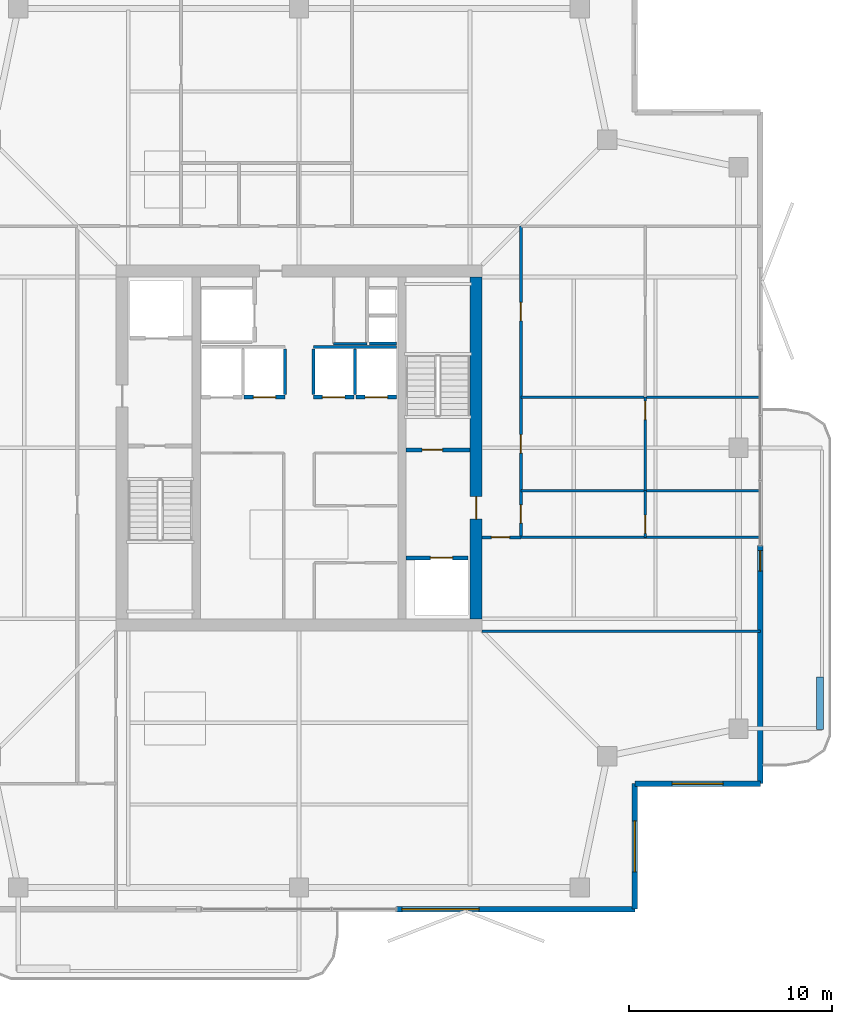
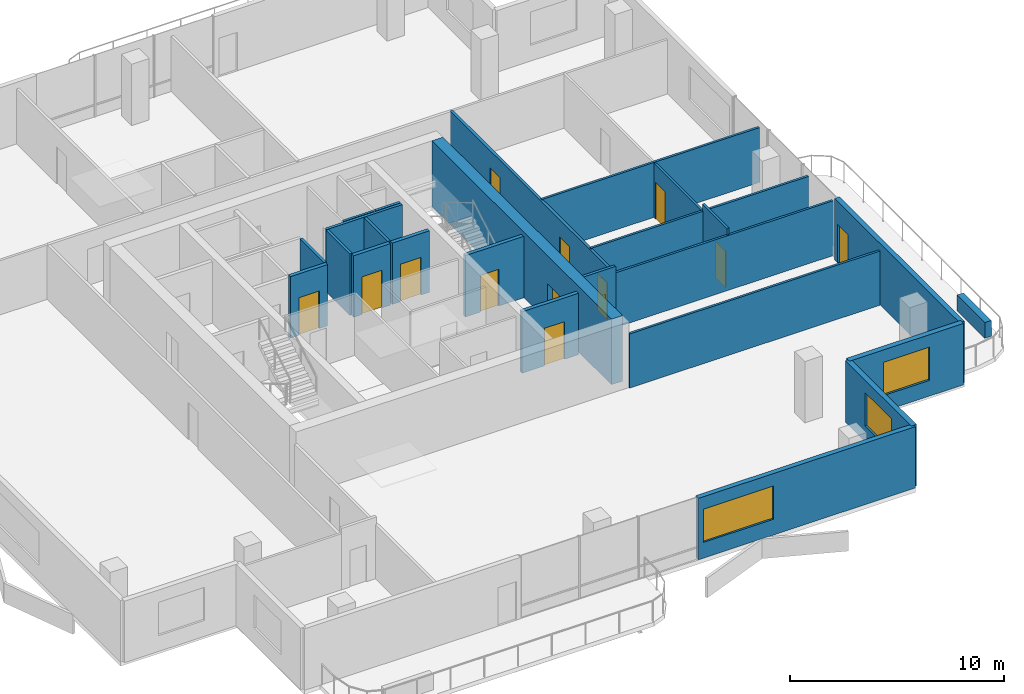
# One storey, part 13 of 17: 25 walls, 13 doors, 3 windows, 16 openings.
"""IFC4 building model written with IfcOpenShell, lengths in metres."""

import ifcopenshell
import ifcopenshell.guid

model = None  # the IFC model being written
_history = None  # IfcOwnerHistory: only IFC2X3 demands one
_inside = {}  # id of a spatial element -> (the spatial element, [elements in it])
_under = {}  # id of a project, library or spatial element -> (it, [spatial elements below it])
_declared = {}  # id of a project -> (the project, [libraries it declares])
_typed = {}  # id of a type object -> (the type object, [elements of that type])
_made_of = {}  # id of a material, layer set ... -> (it, [elements and type objects made of it])


def new_model(schema):
    """Start an empty IFC model of exactly this schema.

    Asked for "IFC4X3", IfcOpenShell would pick the latest addendum, in which some entities
    have other attributes; the version numbers below select the first issue.
    IFC2X3 requires an IfcOwnerHistory on every rooted entity: one is made here for all.
    """
    global model, _history
    if schema == "IFC4X3":
        model = ifcopenshell.file(schema_version=(4, 3, 0, 0))
    else:
        model = ifcopenshell.file(schema=schema)
    _inside.clear()
    _under.clear()
    _declared.clear()
    _typed.clear()
    _made_of.clear()
    _history = None
    if model.schema == "IFC2X3":
        org = make("IfcOrganization", Name="unknown")
        user = make(
            "IfcPersonAndOrganization",
            ThePerson=make("IfcPerson", FamilyName="unknown"),
            TheOrganization=org,
        )
        app = make(
            "IfcApplication",
            ApplicationDeveloper=org,
            Version="unknown",
            ApplicationFullName="unknown",
            ApplicationIdentifier="unknown",
        )
        _history = make(
            "IfcOwnerHistory",
            OwningUser=user,
            OwningApplication=app,
            ChangeAction="ADDED",
            CreationDate=0,
        )
    return model


def make(cls, **values):
    """One entity of the class cls with the attributes given. An attribute that is None is left unset."""
    return model.create_entity(
        cls, **{name: value for name, value in values.items() if value is not None}
    )


def rooted(cls, **values):
    """An entity with a GlobalId (a new one), such as an element, a storey or a relation."""
    return make(cls, GlobalId=ifcopenshell.guid.new(), OwnerHistory=_history, **values)


def si_unit(unit_type, name, prefix=None):
    """IfcSIUnit, for example si_unit("LENGTHUNIT", "METRE", prefix="MILLI")."""
    return make("IfcSIUnit", UnitType=unit_type, Prefix=prefix, Name=name)


def assignment(units):
    """IfcUnitAssignment: the units of a project."""
    return None if units is None else make("IfcUnitAssignment", Units=units)


def point(xyz):
    """IfcCartesianPoint."""
    return None if xyz is None else make("IfcCartesianPoint", Coordinates=xyz)


def direction(xyz):
    """IfcDirection."""
    return None if xyz is None else make("IfcDirection", DirectionRatios=xyz)


def frame(location, z_axis=None, x_axis=None):
    """IfcAxis2Placement3D, a coordinate frame: its origin and axes. An axis left out is left unset."""
    return make(
        "IfcAxis2Placement3D",
        Location=point(location),
        Axis=direction(z_axis),
        RefDirection=direction(x_axis),
    )


def frame_2d(location, x_axis=None):
    """IfcAxis2Placement2D, a coordinate frame in the plane: its origin and x axis."""
    return make(
        "IfcAxis2Placement2D", Location=point(location), RefDirection=direction(x_axis)
    )


def origin():
    """The frame at (0, 0, 0) with its axes left unset."""
    return frame((0.0, 0.0, 0.0))


def place(relative_to, where):
    """IfcLocalPlacement: puts the frame where relative to a parent placement (None: the world)."""
    return make(
        "IfcLocalPlacement", PlacementRelTo=relative_to, RelativePlacement=where
    )


def context(
    kind, dimensions, precision=None, world=None, true_north=None, identifier=None
):
    """IfcGeometricRepresentationContext, for example the 3D "Model" context."""
    return make(
        "IfcGeometricRepresentationContext",
        ContextIdentifier=identifier,
        ContextType=kind,
        CoordinateSpaceDimension=dimensions,
        Precision=precision,
        WorldCoordinateSystem=world,
        TrueNorth=true_north,
    )


def subcontext(parent, identifier, kind, view, scale=None):
    """IfcGeometricRepresentationSubContext, for example "Body" below "Model"."""
    return make(
        "IfcGeometricRepresentationSubContext",
        ContextIdentifier=identifier,
        ContextType=kind,
        ParentContext=parent,
        TargetScale=scale,
        TargetView=view,
    )


def project(units=None, contexts=None):
    """IfcProject with its units and contexts."""
    return rooted(
        "IfcProject",
        Name="project",
        RepresentationContexts=contexts,
        UnitsInContext=assignment(units),
    )


def spatial(cls, under=None, at=None, **own):
    """A site, building, storey or space (cls), placed at a placement, below another one or the project."""
    s = rooted(cls, ObjectPlacement=at, **own)
    if under is not None:
        _under.setdefault(under.id(), (under, []))[1].append(s)
    return s


def profile(cls, at=None, kind="AREA", **sizes):
    """A parametric profile (cls). Its sizes go by their IFC names, for example OverallWidth=200.0."""
    return make(cls, ProfileType=kind, Position=at, **sizes)


def rectangle(**sizes):
    """IfcRectangleProfileDef."""
    return profile("IfcRectangleProfileDef", **sizes)


def extrude(swept, where, along, depth):
    """IfcExtrudedAreaSolid: the profile swept, set in the frame where, extruded along a direction by depth."""
    return make(
        "IfcExtrudedAreaSolid",
        SweptArea=swept,
        Position=where,
        ExtrudedDirection=direction(along),
        Depth=depth,
    )


def shape(context_of_items, identifier, shape_type, items):
    """IfcShapeRepresentation: the items that make up one representation, for example the "Body"."""
    return make(
        "IfcShapeRepresentation",
        ContextOfItems=context_of_items,
        RepresentationIdentifier=identifier,
        RepresentationType=shape_type,
        Items=items,
    )


def material(Name=None, Category=None):
    """IfcMaterial."""
    return make("IfcMaterial", Name=Name, Category=Category)


def layer(
    of_material, thickness, ventilated=None, Name=None, Category=None, Priority=None
):
    """IfcMaterialLayer: one layer of a wall or slab, of a material (None: an air gap)."""
    return make(
        "IfcMaterialLayer",
        Material=of_material,
        LayerThickness=thickness,
        IsVentilated=ventilated,
        Name=Name,
        Category=Category,
        Priority=Priority,
    )


def layer_set(layers, Name=None):
    """IfcMaterialLayerSet."""
    return make("IfcMaterialLayerSet", MaterialLayers=layers, LayerSetName=Name)


def made_of(thing, what):
    """Note that an element or type object is made of a material, layer set ...; save() writes the relation."""
    if what is not None:
        _made_of.setdefault(what.id(), (what, []))[1].append(thing)
    return thing


def type_object(cls, material=None, **own):
    """A type object (cls), such as IfcWallType, which elements share."""
    return made_of(rooted(cls, **own), material)


def element(
    cls,
    number,
    at=None,
    inside=None,
    cuts=None,
    type_object=None,
    material=None,
    context=None,
    identifier="Body",
    shape_type=None,
    held_by="IfcProductDefinitionShape",
    body=None,
    shapes=None,
    **own,
):
    """One element of the class cls, such as IfcWall. Its Tag is "e" and its number.

    at: its placement. inside: the storey or other place that contains it. cuts: it is an
    opening in that element (IfcRelVoidsElement). A single representation is given by context,
    identifier, shape_type and body (its items); several are given by shapes. held_by: the class
    of the entity that holds the representations. save() writes the other relations.
    """
    e = rooted(cls, Tag="e%d" % number, ObjectPlacement=at, **own)
    if body is not None:
        shapes = [shape(context, identifier, shape_type, body)]
    if shapes is not None:
        e.Representation = make(held_by, Representations=shapes)
    if inside is not None:
        _inside.setdefault(inside.id(), (inside, []))[1].append(e)
    if cuts is not None:
        rooted(
            "IfcRelVoidsElement", RelatingBuildingElement=cuts, RelatedOpeningElement=e
        )
    if type_object is not None:
        _typed.setdefault(type_object.id(), (type_object, []))[1].append(e)
    return made_of(e, material)


def fill(opening, filler):
    """IfcRelFillsElement: the door or window that sits in an opening."""
    return rooted(
        "IfcRelFillsElement",
        RelatingOpeningElement=opening,
        RelatedBuildingElement=filler,
    )


def aggregate(whole, parts):
    """IfcRelAggregates: a whole, such as a stair, and the parts it consists of."""
    return rooted("IfcRelAggregates", RelatingObject=whole, RelatedObjects=parts)


def save(model, path):
    """Write the relations noted so far, then the file.

    IfcRelAggregates (storeys below a building ...), IfcRelContainedInSpatialStructure (elements
    in a storey), IfcRelDefinesByType, IfcRelAssociatesMaterial and IfcRelDeclares: one each for
    every whole, place, type object, material and project.
    """
    for whole, parts in _under.values():
        aggregate(whole, parts)
    for where, things in _inside.values():
        rooted(
            "IfcRelContainedInSpatialStructure",
            RelatedElements=things,
            RelatingStructure=where,
        )
    for kind, things in _typed.values():
        rooted("IfcRelDefinesByType", RelatedObjects=things, RelatingType=kind)
    for what, things in _made_of.values():
        rooted("IfcRelAssociatesMaterial", RelatedObjects=things, RelatingMaterial=what)
    for by, libraries in _declared.values():
        rooted("IfcRelDeclares", RelatingContext=by, RelatedDefinitions=libraries)
    model.write(path)


model = new_model("IFC4")

# Units and contexts
model_context = context("Model", 3, precision=1e-05, world=origin(), true_north=direction((0.0, 1.0)))
body_context = subcontext(model_context, "Body", "Model", "MODEL_VIEW")
ifc_project = project(units=[si_unit("LENGTHUNIT", "METRE"), si_unit("AREAUNIT", "SQUARE_METRE"), si_unit("VOLUMEUNIT", "CUBIC_METRE"), si_unit("PLANEANGLEUNIT", "RADIAN"), si_unit("MASSUNIT", "GRAM", prefix="KILO")], contexts=[model_context])

# Site, building, storey
site_placement = place(None, origin())
site = spatial("IfcSite", under=ifc_project, at=site_placement, CompositionType="ELEMENT")
building_placement = place(site_placement, origin())
building = spatial("IfcBuilding", under=site, at=building_placement, Name="Belovzor Exchange Tower", CompositionType="ELEMENT")
storey_placement = place(building_placement, frame((0.0, 0.0, 303.0)))
storey = spatial("IfcBuildingStorey", under=building, at=storey_placement, Name="L75", CompositionType="ELEMENT", Elevation=303.0)

# Walls
ifc_material_1 = material(Name="Acoustic Plasterboard on Galvanised Studs", Category="gypsum")
ifc_layer_1 = layer(ifc_material_1, 0.1201171875)
ifc_layer_set_1 = layer_set([ifc_layer_1], Name="Acoustic Plasterboard on Galvanised Studs")
wall_type_1 = type_object("IfcWallType", Name="Acoustic Double-Stud Partition Wall 120", PredefinedType="PARTITIONING", material=ifc_layer_set_1)
wall_1_placement = place(storey_placement, frame((37.800048828125, 19.800048828125, 0.0), z_axis=(0.0, 0.0, 1.0), x_axis=(1.0, 0.0, 0.0)))
element("IfcWall", 1, at=wall_1_placement, inside=storey, type_object=wall_type_1, Name="W-P120 Partition Wall W-L75-ESS", PredefinedType="PARTITIONING", context=body_context, shape_type="SweptSolid", body=[
    extrude(rectangle(XDim=13.669921875, YDim=0.1201171875, at=frame_2d((6.8349609375, 0.0))), origin(), (0.0, 0.0, 1.0), 3.094970703125),
])
wall_2_placement = place(storey_placement, frame((39.699951171875, 24.39990234375, 0.0), z_axis=(0.0, 0.0, 1.0), x_axis=(1.0, 0.0, 0.0)))
element("IfcWall", 2, at=wall_2_placement, inside=storey, type_object=wall_type_1, Name="W-P120 Partition Wall W-L75-ESN", PredefinedType="PARTITIONING", context=body_context, shape_type="SweptSolid", body=[
    extrude(rectangle(XDim=11.77001953125, YDim=0.1201171875, at=frame_2d((5.885009765625, 0.0))), origin(), (0.0, 0.0, 1.0), 3.135009765625),
])

# Wall, opening, door
wall_3_placement = place(storey_placement, frame((45.802978515625, 24.39990234375, 0.0), z_axis=(0.0, 0.0, 1.0), x_axis=(0.0, 1.0, 0.0)))
wall_3 = element("IfcWall", 3, at=wall_3_placement, inside=storey, type_object=wall_type_1, Name="W-P120 Partition Wall W-L75-EHDIV-0", PredefinedType="PARTITIONING", context=body_context, shape_type="SweptSolid", body=[
    extrude(rectangle(XDim=2.300048828125, YDim=0.1201171875, at=frame_2d((1.14990234375, 0.0))), origin(), (0.0, 0.0, 1.0), 3.510009765625),
])
opening_1_placement = place(wall_3_placement, frame((0.199951171875, 0.0, 0.0)))
opening_1 = element("IfcOpeningElement", 4, at=opening_1_placement, cuts=wall_3, Name="Opening D-INT-090", PredefinedType="OPENING", context=body_context, shape_type="SweptSolid", body=[
    extrude(rectangle(XDim=0.89990234375, YDim=2.10009765625, at=frame_2d((0.449951171875, 1.050048828125))), frame((0.0, 0.070068359375, 0.0), z_axis=(0.0, -1.0, 0.0), x_axis=(1.0, 0.0, 0.0)), (0.0, 0.0, 1.0), 0.14013671875),
])
ifc_material_2 = material(Name="Veneered Hardwood Acoustic Leaf", Category="wood")
door_type_1 = type_object("IfcDoorType", Name="Trading Suite Acoustic Single Door 900x2100", OperationType="NOTDEFINED", PredefinedType="DOOR", material=ifc_material_2)
door_1_placement = place(opening_1_placement, origin())
door_1 = element("IfcDoor", 5, at=door_1_placement, inside=storey, type_object=door_type_1, Name="D-INT-090 Trading Suite Acoustic Single Door 900x2100", OperationType="SINGLE_SWING_RIGHT", OverallHeight=2.10009765625, OverallWidth=0.89990234375, PredefinedType="DOOR", context=body_context, shape_type="SweptSolid", body=[
    extrude(rectangle(XDim=0.89990234375, YDim=2.10009765625, at=frame_2d((0.449951171875, 1.050048828125))), frame((0.0, 0.02490234375, 0.0), z_axis=(0.0, -1.0, 0.0), x_axis=(1.0, 0.0, 0.0)), (0.0, 0.0, 1.0), 0.050048828125),
])
fill(opening_1, door_1)

# Wall
wall_4_placement = place(storey_placement, frame((39.699951171875, 26.699951171875, 0.0), z_axis=(0.0, 0.0, 1.0), x_axis=(1.0, 0.0, 0.0)))
element("IfcWall", 6, at=wall_4_placement, inside=storey, type_object=wall_type_1, Name="W-P120 Partition Wall W-L75-EDIV-1", PredefinedType="PARTITIONING", context=body_context, shape_type="SweptSolid", body=[
    extrude(rectangle(XDim=11.77001953125, YDim=0.1201171875, at=frame_2d((5.885009765625, 0.0))), origin(), (0.0, 0.0, 1.0), 3.135009765625),
])

# Wall, opening, door
wall_5_placement = place(storey_placement, frame((45.802978515625, 26.699951171875, 0.0), z_axis=(0.0, 0.0, 1.0), x_axis=(0.0, 1.0, 0.0)))
wall_5 = element("IfcWall", 7, at=wall_5_placement, inside=storey, type_object=wall_type_1, Name="W-P120 Partition Wall W-L75-EHDIV-1", PredefinedType="PARTITIONING", context=body_context, shape_type="SweptSolid", body=[
    extrude(rectangle(XDim=4.594970703125, YDim=0.1201171875, at=frame_2d((2.29736328125, 0.0))), origin(), (0.0, 0.0, 1.0), 3.094970703125),
])
opening_2_placement = place(wall_5_placement, frame((3.4951171875, 0.0, 0.0)))
opening_2 = element("IfcOpeningElement", 8, at=opening_2_placement, cuts=wall_5, Name="Opening D-INT-090", PredefinedType="OPENING", context=body_context, shape_type="SweptSolid", body=[
    extrude(rectangle(XDim=0.89990234375, YDim=2.10009765625, at=frame_2d((0.449951171875, 1.050048828125))), frame((0.0, 0.070068359375, 0.0), z_axis=(0.0, -1.0, 0.0), x_axis=(1.0, 0.0, 0.0)), (0.0, 0.0, 1.0), 0.14013671875),
])
door_2_placement = place(opening_2_placement, origin())
door_2 = element("IfcDoor", 9, at=door_2_placement, inside=storey, type_object=door_type_1, Name="D-INT-090 Trading Suite Acoustic Single Door 900x2100", OperationType="SINGLE_SWING_RIGHT", OverallHeight=2.10009765625, OverallWidth=0.89990234375, PredefinedType="DOOR", context=body_context, shape_type="SweptSolid", body=[
    extrude(rectangle(XDim=0.89990234375, YDim=2.10009765625, at=frame_2d((0.449951171875, 1.050048828125))), frame((0.0, 0.02490234375, 0.0), z_axis=(0.0, -1.0, 0.0), x_axis=(1.0, 0.0, 0.0)), (0.0, 0.0, 1.0), 0.050048828125),
])
fill(opening_2, door_2)

# Walls
wall_6_placement = place(storey_placement, frame((39.699951171875, 31.294921875, 0.0), z_axis=(0.0, 0.0, 1.0), x_axis=(1.0, 0.0, 0.0)))
element("IfcWall", 10, at=wall_6_placement, inside=storey, type_object=wall_type_1, Name="W-P120 Partition Wall W-L75-EDIV-2", PredefinedType="PARTITIONING", context=body_context, shape_type="SweptSolid", body=[
    extrude(rectangle(XDim=11.77001953125, YDim=0.1201171875, at=frame_2d((5.885009765625, 0.0))), origin(), (0.0, 0.0, 1.0), 3.135009765625),
])
ifc_material_3 = material(Name="Fire-Rated Plasterboard on Galvanised Studs", Category="gypsum")
ifc_layer_2 = layer(ifc_material_3, 0.1201171875)
ifc_layer_set_2 = layer_set([ifc_layer_2], Name="Fire-Rated Plasterboard on Galvanised Studs")
wall_type_2 = type_object("IfcWallType", Name="Fire-Rated Double-Stud Partition Wall 120", PredefinedType="PARTITIONING", material=ifc_layer_set_2)
wall_7_placement = place(storey_placement, frame((30.5, 33.925048828125, 0.0), z_axis=(0.0, 0.0, 1.0), x_axis=(1.0, 0.0, 0.0)))
element("IfcWall", 11, at=wall_7_placement, inside=storey, type_object=wall_type_2, Name="W-P120F Partition Wall W-CRV-L75-S", PredefinedType="PARTITIONING", context=body_context, shape_type="SweptSolid", body=[
    extrude(rectangle(XDim=1.64990234375, YDim=0.1201171875, at=frame_2d((0.824951171875, 0.0))), origin(), (0.0, 0.0, 1.0), 3.510009765625),
])

# Wall, opening, door
ifc_material_4 = material(Name="Fire-Rated Gypsum Block and Mineral Wool", Category="gypsum")
ifc_layer_3 = layer(ifc_material_4, 0.14990234375)
ifc_layer_set_3 = layer_set([ifc_layer_3], Name="Fire-Rated Gypsum Block and Mineral Wool")
wall_type_3 = type_object("IfcWallType", Name="Fire-Rated Gypsum Block Corridor Wall 150", PredefinedType="PARTITIONING", material=ifc_layer_set_3)
wall_8_placement = place(storey_placement, frame((37.800048828125, 24.39990234375, 0.0), z_axis=(0.0, 0.0, 1.0), x_axis=(1.0, 0.0, 0.0)))
wall_8 = element("IfcWall", 12, at=wall_8_placement, inside=storey, type_object=wall_type_3, Name="W-P150 Partition Wall W-L75-CE-END", PredefinedType="PARTITIONING", context=body_context, shape_type="SweptSolid", body=[
    extrude(rectangle(XDim=1.89990234375, YDim=0.14990234375, at=frame_2d((0.949951171875, 0.0))), origin(), (0.0, 0.0, 1.0), 3.510009765625),
])
opening_3_placement = place(wall_8_placement, frame((0.449951171875, 0.0, 0.0)))
opening_3 = element("IfcOpeningElement", 13, at=opening_3_placement, cuts=wall_8, Name="Opening D-FD60-090", PredefinedType="OPENING", context=body_context, shape_type="SweptSolid", body=[
    extrude(rectangle(XDim=0.89990234375, YDim=2.10009765625, at=frame_2d((0.449951171875, 1.050048828125))), frame((0.0, 0.0849609375, 0.0), z_axis=(0.0, -1.0, 0.0), x_axis=(1.0, 0.0, 0.0)), (0.0, 0.0, 1.0), 0.169921875),
])
ifc_material_5 = material(Name="Acoustic Timber Fire Leaf", Category="wood")
door_type_2 = type_object("IfcDoorType", Name="Core Service & Restroom Fire Door 900x2100", OperationType="NOTDEFINED", PredefinedType="DOOR", material=ifc_material_5)
door_3_placement = place(opening_3_placement, origin())
door_3 = element("IfcDoor", 14, at=door_3_placement, inside=storey, type_object=door_type_2, Name="D-FD60-090 Core Service & Restroom Fire Door 900x2100", OperationType="SINGLE_SWING_LEFT", OverallHeight=2.10009765625, OverallWidth=0.89990234375, PredefinedType="DOOR", context=body_context, shape_type="SweptSolid", body=[
    extrude(rectangle(XDim=0.89990234375, YDim=2.10009765625, at=frame_2d((0.449951171875, 1.050048828125))), frame((0.0, 0.02490234375, 0.0), z_axis=(0.0, -1.0, 0.0), x_axis=(1.0, 0.0, 0.0)), (0.0, 0.0, 1.0), 0.050048828125),
])
fill(opening_3, door_3)

# Wall, openings, doors
wall_9_placement = place(storey_placement, frame((39.699951171875, 24.39990234375, 0.0), z_axis=(0.0, 0.0, 1.0), x_axis=(0.0, 1.0, 0.0)))
wall_9 = element("IfcWall", 15, at=wall_9_placement, inside=storey, type_object=wall_type_3, Name="W-P150 Partition Wall W-L75-CE", PredefinedType="PARTITIONING", context=body_context, shape_type="SweptSolid", body=[
    extrude(rectangle(XDim=15.300048828125, YDim=0.14990234375, at=frame_2d((7.64990234375, 0.0))), origin(), (0.0, 0.0, 1.0), 3.094970703125),
])
opening_4_placement = place(wall_9_placement, frame((0.699951171875, 0.0, 0.0)))
opening_4 = element("IfcOpeningElement", 16, at=opening_4_placement, cuts=wall_9, Name="Opening D-INT-090", PredefinedType="OPENING", context=body_context, shape_type="SweptSolid", body=[
    extrude(rectangle(XDim=0.89990234375, YDim=2.10009765625, at=frame_2d((0.449951171875, 1.050048828125))), frame((0.0, 0.0849609375, 0.0), z_axis=(0.0, -1.0, 0.0), x_axis=(1.0, 0.0, 0.0)), (0.0, 0.0, 1.0), 0.169921875),
])
opening_5_placement = place(wall_9_placement, frame((4.14794921875, 0.0, 0.0)))
opening_5 = element("IfcOpeningElement", 17, at=opening_5_placement, cuts=wall_9, Name="Opening D-INT-090", PredefinedType="OPENING", context=body_context, shape_type="SweptSolid", body=[
    extrude(rectangle(XDim=0.89990234375, YDim=2.10009765625, at=frame_2d((0.449951171875, 1.050048828125))), frame((0.0, 0.0849609375, 0.0), z_axis=(0.0, -1.0, 0.0), x_axis=(1.0, 0.0, 0.0)), (0.0, 0.0, 1.0), 0.169921875),
])
opening_6_placement = place(wall_9_placement, frame((10.64794921875, 0.0, 0.0)))
opening_6 = element("IfcOpeningElement", 18, at=opening_6_placement, cuts=wall_9, Name="Opening D-INT-090", PredefinedType="OPENING", context=body_context, shape_type="SweptSolid", body=[
    extrude(rectangle(XDim=0.89990234375, YDim=2.10009765625, at=frame_2d((0.449951171875, 1.050048828125))), frame((0.0, 0.0849609375, 0.0), z_axis=(0.0, -1.0, 0.0), x_axis=(1.0, 0.0, 0.0)), (0.0, 0.0, 1.0), 0.169921875),
])
door_4_placement = place(opening_4_placement, origin())
door_4 = element("IfcDoor", 19, at=door_4_placement, inside=storey, type_object=door_type_1, Name="D-INT-090 Trading Suite Acoustic Single Door 900x2100", OperationType="SINGLE_SWING_LEFT", OverallHeight=2.10009765625, OverallWidth=0.89990234375, PredefinedType="DOOR", context=body_context, shape_type="SweptSolid", body=[
    extrude(rectangle(XDim=0.89990234375, YDim=2.10009765625, at=frame_2d((0.449951171875, 1.050048828125))), frame((0.0, 0.02490234375, 0.0), z_axis=(0.0, -1.0, 0.0), x_axis=(1.0, 0.0, 0.0)), (0.0, 0.0, 1.0), 0.050048828125),
])
fill(opening_4, door_4)
door_5_placement = place(opening_5_placement, origin())
door_5 = element("IfcDoor", 20, at=door_5_placement, inside=storey, type_object=door_type_1, Name="D-INT-090 Trading Suite Acoustic Single Door 900x2100", OperationType="SINGLE_SWING_RIGHT", OverallHeight=2.10009765625, OverallWidth=0.89990234375, PredefinedType="DOOR", context=body_context, shape_type="SweptSolid", body=[
    extrude(rectangle(XDim=0.89990234375, YDim=2.10009765625, at=frame_2d((0.449951171875, 1.050048828125))), frame((0.0, 0.02490234375, 0.0), z_axis=(0.0, -1.0, 0.0), x_axis=(1.0, 0.0, 0.0)), (0.0, 0.0, 1.0), 0.050048828125),
])
fill(opening_5, door_5)
door_6_placement = place(opening_6_placement, origin())
door_6 = element("IfcDoor", 21, at=door_6_placement, inside=storey, type_object=door_type_1, Name="D-INT-090 Trading Suite Acoustic Single Door 900x2100", OperationType="SINGLE_SWING_LEFT", OverallHeight=2.10009765625, OverallWidth=0.89990234375, PredefinedType="DOOR", context=body_context, shape_type="SweptSolid", body=[
    extrude(rectangle(XDim=0.89990234375, YDim=2.10009765625, at=frame_2d((0.449951171875, 1.050048828125))), frame((0.0, 0.02490234375, 0.0), z_axis=(0.0, -1.0, 0.0), x_axis=(1.0, 0.0, 0.0)), (0.0, 0.0, 1.0), 0.050048828125),
])
fill(opening_6, door_6)

# Wall, opening, window
ifc_material_6 = material(Name="Precast concrete C40/50", Category="concrete")
ifc_layer_4 = layer(ifc_material_6, 0.280029296875)
ifc_layer_set_4 = layer_set([ifc_layer_4], Name="Precast concrete C40/50")
wall_type_4 = type_object("IfcWallType", Name="Precast Concrete Notched Corner Frame Wall 280", PredefinedType="SOLIDWALL", material=ifc_layer_set_4)
wall_10_placement = place(storey_placement, frame((51.469970703125, 12.300048828125, 0.0), z_axis=(0.0, 0.0, 1.0), x_axis=(-1.0, 0.0, 0.0)))
wall_10 = element("IfcWall", 22, at=wall_10_placement, inside=storey, type_object=wall_type_4, Name="W-CRN280 Precast Concrete Notched Corner Frame Wall 280 L75", PredefinedType="SOLIDWALL", context=body_context, shape_type="SweptSolid", body=[
    extrude(rectangle(XDim=6.169921875, YDim=0.280029296875, at=frame_2d((3.0849609375, 0.0))), origin(), (0.0, 0.0, 1.0), 3.510009765625),
])
opening_7_placement = place(wall_10_placement, frame((1.8349609375, 0.0, 0.89990234375)))
opening_7 = element("IfcOpeningElement", 23, at=opening_7_placement, cuts=wall_10, Name="Opening WN-CRN250", PredefinedType="OPENING", context=body_context, shape_type="SweptSolid", body=[
    extrude(rectangle(XDim=2.5, YDim=1.89990234375, at=frame_2d((1.25, 0.949951171875))), frame((0.0, 0.14990234375, 0.0), z_axis=(0.0, -1.0, 0.0), x_axis=(1.0, 0.0, 0.0)), (0.0, 0.0, 1.0), 0.300048828125),
])
ifc_material_7 = material(Name="Thermally Broken Aluminium and Triple Glazing", Category="aluminium")
window_type_1 = type_object("IfcWindowType", Name="Streamline Moderne Corner Wrap Ribbon Window 2500x1900", PartitioningType="SINGLE_PANEL", PredefinedType="WINDOW", material=ifc_material_7)
window_1_placement = place(opening_7_placement, origin())
window_1 = element("IfcWindow", 24, at=window_1_placement, inside=storey, type_object=window_type_1, Name="WN-CRN250 Streamline Moderne Corner Wrap Ribbon Window 2500x1900", OverallHeight=1.89990234375, OverallWidth=2.5, PartitioningType="SINGLE_PANEL", PredefinedType="WINDOW", context=body_context, shape_type="SweptSolid", body=[
    extrude(rectangle(XDim=2.5, YDim=1.89990234375, at=frame_2d((1.25, 0.949951171875))), frame((0.0, 0.030029296875, 0.0), z_axis=(0.0, -1.0, 0.0), x_axis=(1.0, 0.0, 0.0)), (0.0, 0.0, 1.0), 0.06005859375),
])
fill(opening_7, window_1)

wall_11_placement = place(storey_placement, frame((45.300048828125, 12.300048828125, 0.0), z_axis=(0.0, 0.0, 1.0), x_axis=(0.0, -1.0, 0.0)))
wall_11 = element("IfcWall", 25, at=wall_11_placement, inside=storey, type_object=wall_type_4, Name="W-CRN280 Precast Concrete Notched Corner Frame Wall 280 L75", PredefinedType="SOLIDWALL", context=body_context, shape_type="SweptSolid", body=[
    extrude(rectangle(XDim=6.170166015625, YDim=0.280029296875, at=frame_2d((3.0849609375, 0.0))), origin(), (0.0, 0.0, 1.0), 3.510009765625),
])
opening_8_placement = place(wall_11_placement, frame((1.8349609375, 0.0, 0.89990234375)))
opening_8 = element("IfcOpeningElement", 26, at=opening_8_placement, cuts=wall_11, Name="Opening WN-CRN250", PredefinedType="OPENING", context=body_context, shape_type="SweptSolid", body=[
    extrude(rectangle(XDim=2.5, YDim=1.89990234375, at=frame_2d((1.25, 0.949951171875))), frame((0.0, 0.14990234375, 0.0), z_axis=(0.0, -1.0, 0.0), x_axis=(1.0, 0.0, 0.0)), (0.0, 0.0, 1.0), 0.300048828125),
])
window_2_placement = place(opening_8_placement, origin())
window_2 = element("IfcWindow", 27, at=window_2_placement, inside=storey, type_object=window_type_1, Name="WN-CRN250 Streamline Moderne Corner Wrap Ribbon Window 2500x1900", OverallHeight=1.89990234375, OverallWidth=2.5, PartitioningType="SINGLE_PANEL", PredefinedType="WINDOW", context=body_context, shape_type="SweptSolid", body=[
    extrude(rectangle(XDim=2.5, YDim=1.89990234375, at=frame_2d((1.25, 0.949951171875))), frame((0.0, 0.030029296875, 0.0), z_axis=(0.0, -1.0, 0.0), x_axis=(1.0, 0.0, 0.0)), (0.0, 0.0, 1.0), 0.06005859375),
])
fill(opening_8, window_2)

ifc_material_8 = material(Name="Precast concrete C40/50", Category="concrete")
ifc_layer_5 = layer(ifc_material_8, 0.260009765625)
ifc_layer_set_5 = layer_set([ifc_layer_5], Name="Precast concrete C40/50")
wall_type_5 = type_object("IfcWallType", Name="Precast Concrete Perimeter Loggia Frame Wall 260", PredefinedType="SOLIDWALL", material=ifc_layer_set_5)
wall_12_placement = place(storey_placement, frame((45.300048828125, 6.1298828125, 0.0), z_axis=(0.0, 0.0, 1.0), x_axis=(-1.0, 0.0, 0.0)))
wall_12 = element("IfcWall", 28, at=wall_12_placement, inside=storey, type_object=wall_type_5, Name="W-EXT260 Precast Concrete Perimeter Loggia Frame Wall 260 L75", PredefinedType="SOLIDWALL", context=body_context, shape_type="SweptSolid", body=[
    extrude(rectangle(XDim=11.699951171875, YDim=0.260009765625, at=frame_2d((5.85009765625, 0.0))), origin(), (0.0, 0.0, 1.0), 3.510009765625),
])
opening_9_placement = place(wall_12_placement, frame((7.64990234375, 0.0, 0.89990234375)))
opening_9 = element("IfcOpeningElement", 29, at=opening_9_placement, cuts=wall_12, Name="Opening WN-RIB380", PredefinedType="OPENING", context=body_context, shape_type="SweptSolid", body=[
    extrude(rectangle(XDim=3.800048828125, YDim=1.89990234375, at=frame_2d((1.89990234375, 0.949951171875))), frame((0.0, 0.139892578125, 0.0), z_axis=(0.0, -1.0, 0.0), x_axis=(1.0, 0.0, 0.0)), (0.0, 0.0, 1.0), 0.280029296875),
])
ifc_material_9 = material(Name="Thermally Broken Aluminium and Triple Glazing", Category="aluminium")
window_type_2 = type_object("IfcWindowType", Name="Streamline Moderne Horizontal Ribbon Window 3800x1900", PartitioningType="SINGLE_PANEL", PredefinedType="WINDOW", material=ifc_material_9)
window_3_placement = place(opening_9_placement, origin())
window_3 = element("IfcWindow", 30, at=window_3_placement, inside=storey, type_object=window_type_2, Name="WN-RIB380 Streamline Moderne Horizontal Ribbon Window 3800x1900", OverallHeight=1.89990234375, OverallWidth=3.800048828125, PartitioningType="SINGLE_PANEL", PredefinedType="WINDOW", context=body_context, shape_type="SweptSolid", body=[
    extrude(rectangle(XDim=3.800048828125, YDim=1.89990234375, at=frame_2d((1.89990234375, 0.949951171875))), frame((0.0, 0.030029296875, 0.0), z_axis=(0.0, -1.0, 0.0), x_axis=(1.0, 0.0, 0.0)), (0.0, 0.0, 1.0), 0.06005859375),
])
fill(opening_9, window_3)

# Wall, opening, door
wall_13_placement = place(storey_placement, frame((51.469970703125, 24.0, 0.0), z_axis=(0.0, 0.0, 1.0), x_axis=(0.0, -1.0, 0.0)))
wall_13 = element("IfcWall", 31, at=wall_13_placement, inside=storey, type_object=wall_type_5, Name="W-EXT260 Precast Concrete Perimeter Loggia Frame Wall 260 L75", PredefinedType="SOLIDWALL", context=body_context, shape_type="SweptSolid", body=[
    extrude(rectangle(XDim=11.699951171875, YDim=0.260009765625, at=frame_2d((5.85009765625, 0.0))), origin(), (0.0, 0.0, 1.0), 3.510009765625),
])
opening_10_placement = place(wall_13_placement, frame((0.25, 0.0, 0.0)))
opening_10 = element("IfcOpeningElement", 32, at=opening_10_placement, cuts=wall_13, Name="Opening D-BAL100", PredefinedType="OPENING", context=body_context, shape_type="SweptSolid", body=[
    extrude(rectangle(XDim=1.0, YDim=2.199951171875, at=frame_2d((0.5, 1.10009765625))), frame((0.0, 0.139892578125, 0.0), z_axis=(0.0, -1.0, 0.0), x_axis=(1.0, 0.0, 0.0)), (0.0, 0.0, 1.0), 0.280029296875),
])
ifc_material_10 = material(Name="Thermally Broken Anodised Aluminium and Laminated Glass", Category="aluminium")
door_type_3 = type_object("IfcDoorType", Name="Planted Loggia Terrace Glazed Door 1000x2200", OperationType="SINGLE_SWING_LEFT", PredefinedType="DOOR", material=ifc_material_10)
door_7_placement = place(opening_10_placement, origin())
door_7 = element("IfcDoor", 33, at=door_7_placement, inside=storey, type_object=door_type_3, Name="D-BAL100 Balcony Terrace Door L75 E", OperationType="SINGLE_SWING_LEFT", OverallHeight=2.199951171875, OverallWidth=1.0, PredefinedType="DOOR", context=body_context, shape_type="SweptSolid", body=[
    extrude(rectangle(XDim=1.0, YDim=2.199951171875, at=frame_2d((0.5, 1.10009765625))), frame((0.0, 0.02490234375, 0.0), z_axis=(0.0, -1.0, 0.0), x_axis=(1.0, 0.0, 0.0)), (0.0, 0.0, 1.0), 0.050048828125),
])
fill(opening_10, door_7)

# Walls
ifc_material_11 = material(Name="Precast concrete C40/50", Category="concrete")
ifc_layer_6 = layer(ifc_material_11, 0.35009765625)
ifc_layer_set_6 = layer_set([ifc_layer_6], Name="Precast concrete C40/50")
wall_type_6 = type_object("IfcWallType", Name="Precast Concrete Structural Tree Planter Trough 350", PredefinedType="PARAPET", material=ifc_layer_set_6)
wall_14_placement = place(storey_placement, frame((54.39990234375, 14.949951171875, 0.0), z_axis=(0.0, 0.0, 1.0), x_axis=(0.0, 1.0, 0.0)))
element("IfcWall", 34, at=wall_14_placement, inside=storey, type_object=wall_type_6, Name="PT-350 Precast Concrete Structural Tree Planter Trough 350 L75", PredefinedType="PARAPET", context=body_context, shape_type="SweptSolid", body=[
    extrude(rectangle(XDim=2.60009765625, YDim=0.35009765625, at=frame_2d((1.300048828125, 0.0))), origin(), (0.0, 0.0, 1.0), 0.89990234375),
])
ifc_material_12 = material(Name="Concrete C50/60", Category="concrete")
ifc_layer_7 = layer(ifc_material_12, 0.14990234375)
ifc_layer_set_7 = layer_set([ifc_layer_7], Name="Concrete C50/60")
wall_type_7 = type_object("IfcWallType", Name="Reinforced Concrete Core Riser Shear Wall 150", PredefinedType="SHEAR", material=ifc_layer_set_7)
wall_15_placement = place(storey_placement, frame((32.25, 33.925048828125, 0.0), z_axis=(0.0, 0.0, 1.0), x_axis=(1.0, 0.0, 0.0)))
element("IfcWall", 35, at=wall_15_placement, inside=storey, type_object=wall_type_7, Name="W-C150S Core Shaft Wall W-RSR-L75-S", PredefinedType="SHEAR", context=body_context, shape_type="SweptSolid", body=[
    extrude(rectangle(XDim=1.330078125, YDim=0.14990234375, at=frame_2d((0.6650390625, 0.0))), origin(), (0.0, 0.0, 1.0), 3.510009765625),
])
wall_16_placement = place(storey_placement, frame((29.5, 33.760009765625, 0.0), z_axis=(0.0, 0.0, 1.0), x_axis=(1.0, 0.0, 0.0)))
element("IfcWall", 36, at=wall_16_placement, inside=storey, type_object=wall_type_7, Name="W-C150S Core Shaft Wall W-SHB-L75-PLH-NE", PredefinedType="SHEAR", context=body_context, shape_type="SweptSolid", body=[
    extrude(rectangle(XDim=4.080078125, YDim=0.14990234375, at=frame_2d((2.0400390625, 0.0))), origin(), (0.0, 0.0, 1.0), 3.510009765625),
])
for number, where, z_axis, x_axis, name in (
    (37, (28.10009765625, 31.419921875, 0.0), (0.0, 0.0, 1.0), (0.0, 1.0, 0.0), "W-C150S Core Shaft Wall W-SHD-L75-PLH-2"),
    (38, (29.5, 31.419921875, 0.0), (0.0, 0.0, 1.0), (0.0, 1.0, 0.0), "W-C150S Core Shaft Wall W-SHD-L75-PLH-3"),
    (39, (31.550048828125, 31.419921875, 0.0), (0.0, 0.0, 1.0), (0.0, 1.0, 0.0), "W-C150S Core Shaft Wall W-SHD-L75-PLH-4"),
):
    element("IfcWall", number, at=place(storey_placement, frame(where, z_axis=z_axis, x_axis=x_axis)), inside=storey, type_object=wall_type_7, Name=name, PredefinedType="SHEAR", context=body_context, shape_type="SweptSolid", body=[
        extrude(rectangle(XDim=2.239990234375, YDim=0.14990234375, at=frame_2d((1.1201171875, 0.0))), origin(), (0.0, 0.0, 1.0), 3.510009765625),
    ])

# Wall, opening, door
ifc_material_13 = material(Name="Concrete C50/60", Category="concrete")
ifc_layer_8 = layer(ifc_material_13, 0.199951171875)
ifc_layer_set_8 = layer_set([ifc_layer_8], Name="Concrete C50/60")
wall_type_8 = type_object("IfcWallType", Name="Reinforced Concrete Core Shaft Shear Wall 200", PredefinedType="SHEAR", material=ifc_layer_set_8)
wall_17_placement = place(storey_placement, frame((34.050048828125, 28.699951171875, 0.0), z_axis=(0.0, 0.0, 1.0), x_axis=(1.0, 0.0, 0.0)))
wall_17 = element("IfcWall", 40, at=wall_17_placement, inside=storey, type_object=wall_type_8, Name="W-C200S Core Shaft Wall W-CORE-L75-FFLE2", PredefinedType="SHEAR", context=body_context, shape_type="SweptSolid", body=[
    extrude(rectangle(XDim=3.14990234375, YDim=0.199951171875, at=frame_2d((1.574951171875, 0.0))), origin(), (0.0, 0.0, 1.0), 3.510009765625),
])
opening_11_placement = place(wall_17_placement, frame((0.800048828125, 0.0, 0.0)))
opening_11 = element("IfcOpeningElement", 41, at=opening_11_placement, cuts=wall_17, Name="Opening D-FD90-100", PredefinedType="OPENING", context=body_context, shape_type="SweptSolid", body=[
    extrude(rectangle(XDim=1.0, YDim=2.10009765625, at=frame_2d((0.5, 1.050048828125))), frame((0.0, 0.10986328125, 0.0), z_axis=(0.0, -1.0, 0.0), x_axis=(1.0, 0.0, 0.0)), (0.0, 0.0, 1.0), 0.219970703125),
])
ifc_material_14 = material(Name="Fire-Rated Galvanised Steel Leaf", Category="steel")
door_type_4 = type_object("IfcDoorType", Name="Protected Stairwell Single Fire Door 1000x2100", OperationType="NOTDEFINED", PredefinedType="DOOR", material=ifc_material_14)
door_8_placement = place(opening_11_placement, origin())
door_8 = element("IfcDoor", 42, at=door_8_placement, inside=storey, type_object=door_type_4, Name="D-FD90-100 Protected Stairwell Single Fire Door 1000x2100", OperationType="SINGLE_SWING_LEFT", OverallHeight=2.10009765625, OverallWidth=1.0, PredefinedType="DOOR", context=body_context, shape_type="SweptSolid", body=[
    extrude(rectangle(XDim=1.0, YDim=2.10009765625, at=frame_2d((0.5, 1.050048828125))), frame((0.0, 0.02490234375, 0.0), z_axis=(0.0, -1.0, 0.0), x_axis=(1.0, 0.0, 0.0)), (0.0, 0.0, 1.0), 0.050048828125),
])
fill(opening_11, door_8)

wall_18_placement = place(storey_placement, frame((34.050048828125, 23.39990234375, 0.0), z_axis=(0.0, 0.0, 1.0), x_axis=(1.0, 0.0, 0.0)))
wall_18 = element("IfcWall", 43, at=wall_18_placement, inside=storey, type_object=wall_type_8, Name="W-C200S Core Shaft Wall W-SH-L75-FFL-02", PredefinedType="SHEAR", context=body_context, shape_type="SweptSolid", body=[
    extrude(rectangle(XDim=3.050048828125, YDim=0.199951171875, at=frame_2d((1.52490234375, 0.0))), origin(), (0.0, 0.0, 1.0), 3.510009765625),
])
opening_12_placement = place(wall_18_placement, frame((1.199951171875, 0.0, 0.0)))
opening_12 = element("IfcOpeningElement", 44, at=opening_12_placement, cuts=wall_18, Name="Opening LD-110", PredefinedType="OPENING", context=body_context, shape_type="SweptSolid", body=[
    extrude(rectangle(XDim=1.10009765625, YDim=2.14990234375, at=frame_2d((0.550048828125, 1.074951171875))), frame((0.0, 0.10986328125, 0.0), z_axis=(0.0, -1.0, 0.0), x_axis=(1.0, 0.0, 0.0)), (0.0, 0.0, 1.0), 0.219970703125),
])
ifc_material_15 = material(Name="Stainless Steel Grade 304", Category="steel")
door_type_5 = type_object("IfcDoorType", Name="Automated Stainless Steel Lift Landing Door 1100x2150", OperationType="SLIDING_TO_RIGHT", PredefinedType="DOOR", material=ifc_material_15)
door_9_placement = place(opening_12_placement, origin())
door_9 = element("IfcDoor", 45, at=door_9_placement, inside=storey, type_object=door_type_5, Name="LD-110 Automated Stainless Steel Lift Landing Door 1100x2150", OperationType="SLIDING_TO_RIGHT", OverallHeight=2.14990234375, OverallWidth=1.10009765625, PredefinedType="DOOR", context=body_context, shape_type="SweptSolid", body=[
    extrude(rectangle(XDim=1.10009765625, YDim=2.14990234375, at=frame_2d((0.550048828125, 1.074951171875))), frame((0.0, 0.02490234375, 0.0), z_axis=(0.0, -1.0, 0.0), x_axis=(1.0, 0.0, 0.0)), (0.0, 0.0, 1.0), 0.050048828125),
])
fill(opening_12, door_9)

wall_19_placement = place(storey_placement, frame((26.10009765625, 31.300048828125, 0.0), z_axis=(0.0, 0.0, 1.0), x_axis=(1.0, 0.0, 0.0)))
wall_19 = element("IfcWall", 46, at=wall_19_placement, inside=storey, type_object=wall_type_8, Name="W-C200S Core Shaft Wall W-SH-L75-PL-H2", PredefinedType="SHEAR", context=body_context, shape_type="SweptSolid", body=[
    extrude(rectangle(XDim=2.0, YDim=0.199951171875, at=frame_2d((1.0, 0.0))), origin(), (0.0, 0.0, 1.0), 3.510009765625),
])
opening_13_placement = place(wall_19_placement, frame((0.449951171875, 0.0, 0.0)))
opening_13 = element("IfcOpeningElement", 47, at=opening_13_placement, cuts=wall_19, Name="Opening LD-110", PredefinedType="OPENING", context=body_context, shape_type="SweptSolid", body=[
    extrude(rectangle(XDim=1.10009765625, YDim=2.14990234375, at=frame_2d((0.550048828125, 1.074951171875))), frame((0.0, 0.10986328125, 0.0), z_axis=(0.0, -1.0, 0.0), x_axis=(1.0, 0.0, 0.0)), (0.0, 0.0, 1.0), 0.219970703125),
])
door_10_placement = place(opening_13_placement, origin())
door_10 = element("IfcDoor", 48, at=door_10_placement, inside=storey, type_object=door_type_5, Name="LD-110 Automated Stainless Steel Lift Landing Door 1100x2150", OperationType="SLIDING_TO_RIGHT", OverallHeight=2.14990234375, OverallWidth=1.10009765625, PredefinedType="DOOR", context=body_context, shape_type="SweptSolid", body=[
    extrude(rectangle(XDim=1.10009765625, YDim=2.14990234375, at=frame_2d((0.550048828125, 1.074951171875))), frame((0.0, 0.02490234375, 0.0), z_axis=(0.0, -1.0, 0.0), x_axis=(1.0, 0.0, 0.0)), (0.0, 0.0, 1.0), 0.050048828125),
])
fill(opening_13, door_10)

wall_20_placement = place(storey_placement, frame((29.5, 31.300048828125, 0.0), z_axis=(0.0, 0.0, 1.0), x_axis=(1.0, 0.0, 0.0)))
wall_20 = element("IfcWall", 49, at=wall_20_placement, inside=storey, type_object=wall_type_8, Name="W-C200S Core Shaft Wall W-SH-L75-PL-H3", PredefinedType="SHEAR", context=body_context, shape_type="SweptSolid", body=[
    extrude(rectangle(XDim=2.0, YDim=0.199951171875, at=frame_2d((1.0, 0.0))), origin(), (0.0, 0.0, 1.0), 3.510009765625),
])
opening_14_placement = place(wall_20_placement, frame((0.449951171875, 0.0, 0.0)))
opening_14 = element("IfcOpeningElement", 50, at=opening_14_placement, cuts=wall_20, Name="Opening LD-110", PredefinedType="OPENING", context=body_context, shape_type="SweptSolid", body=[
    extrude(rectangle(XDim=1.10009765625, YDim=2.14990234375, at=frame_2d((0.550048828125, 1.074951171875))), frame((0.0, 0.10986328125, 0.0), z_axis=(0.0, -1.0, 0.0), x_axis=(1.0, 0.0, 0.0)), (0.0, 0.0, 1.0), 0.219970703125),
])
door_11_placement = place(opening_14_placement, origin())
door_11 = element("IfcDoor", 51, at=door_11_placement, inside=storey, type_object=door_type_5, Name="LD-110 Automated Stainless Steel Lift Landing Door 1100x2150", OperationType="SLIDING_TO_RIGHT", OverallHeight=2.14990234375, OverallWidth=1.10009765625, PredefinedType="DOOR", context=body_context, shape_type="SweptSolid", body=[
    extrude(rectangle(XDim=1.10009765625, YDim=2.14990234375, at=frame_2d((0.550048828125, 1.074951171875))), frame((0.0, 0.02490234375, 0.0), z_axis=(0.0, -1.0, 0.0), x_axis=(1.0, 0.0, 0.0)), (0.0, 0.0, 1.0), 0.050048828125),
])
fill(opening_14, door_11)

wall_21_placement = place(storey_placement, frame((31.60009765625, 31.300048828125, 0.0), z_axis=(0.0, 0.0, 1.0), x_axis=(1.0, 0.0, 0.0)))
wall_21 = element("IfcWall", 52, at=wall_21_placement, inside=storey, type_object=wall_type_8, Name="W-C200S Core Shaft Wall W-SH-L75-PL-H4", PredefinedType="SHEAR", context=body_context, shape_type="SweptSolid", body=[
    extrude(rectangle(XDim=2.0, YDim=0.199951171875, at=frame_2d((1.0, 0.0))), origin(), (0.0, 0.0, 1.0), 3.510009765625),
])
opening_15_placement = place(wall_21_placement, frame((0.449951171875, 0.0, 0.0)))
opening_15 = element("IfcOpeningElement", 53, at=opening_15_placement, cuts=wall_21, Name="Opening LD-110", PredefinedType="OPENING", context=body_context, shape_type="SweptSolid", body=[
    extrude(rectangle(XDim=1.10009765625, YDim=2.14990234375, at=frame_2d((0.550048828125, 1.074951171875))), frame((0.0, 0.10986328125, 0.0), z_axis=(0.0, -1.0, 0.0), x_axis=(1.0, 0.0, 0.0)), (0.0, 0.0, 1.0), 0.219970703125),
])
door_12_placement = place(opening_15_placement, origin())
door_12 = element("IfcDoor", 54, at=door_12_placement, inside=storey, type_object=door_type_5, Name="LD-110 Automated Stainless Steel Lift Landing Door 1100x2150", OperationType="SLIDING_TO_RIGHT", OverallHeight=2.14990234375, OverallWidth=1.10009765625, PredefinedType="DOOR", context=body_context, shape_type="SweptSolid", body=[
    extrude(rectangle(XDim=1.10009765625, YDim=2.14990234375, at=frame_2d((0.550048828125, 1.074951171875))), frame((0.0, 0.02490234375, 0.0), z_axis=(0.0, -1.0, 0.0), x_axis=(1.0, 0.0, 0.0)), (0.0, 0.0, 1.0), 0.050048828125),
])
fill(opening_15, door_12)

ifc_material_16 = material(Name="Concrete C50/60", Category="concrete")
ifc_layer_9 = layer(ifc_material_16, 0.60009765625)
ifc_layer_set_9 = layer_set([ifc_layer_9], Name="Concrete C50/60")
wall_type_9 = type_object("IfcWallType", Name="Reinforced Concrete Core Shear Wall 600", PredefinedType="SHEAR", material=ifc_layer_set_9)
wall_22_placement = place(storey_placement, frame((37.5, 20.39990234375, 0.0), z_axis=(0.0, 0.0, 1.0), x_axis=(0.0, 1.0, 0.0)))
wall_22 = element("IfcWall", 55, at=wall_22_placement, inside=storey, type_object=wall_type_9, Name="CW-S060 Core Shear Wall L75 E", PredefinedType="SHEAR", context=body_context, shape_type="SweptSolid", body=[
    extrude(rectangle(XDim=16.800048828125, YDim=0.60009765625, at=frame_2d((8.39990234375, 0.0))), origin(), (0.0, 0.0, 1.0), 3.75),
])
opening_16_placement = place(wall_22_placement, frame((4.89990234375, 0.0, 0.0)))
opening_16 = element("IfcOpeningElement", 56, at=opening_16_placement, cuts=wall_22, Name="Opening D-FD90-110", PredefinedType="OPENING", context=body_context, shape_type="SweptSolid", body=[
    extrude(rectangle(XDim=1.10009765625, YDim=2.14990234375, at=frame_2d((0.550048828125, 1.074951171875))), frame((0.0, 0.31005859375, 0.0), z_axis=(0.0, -1.0, 0.0), x_axis=(1.0, 0.0, 0.0)), (0.0, 0.0, 1.0), 0.6201171875),
])
ifc_material_17 = material(Name="Fire-Rated Galvanised Steel Leaf", Category="steel")
door_type_6 = type_object("IfcDoorType", Name="Protected Escape Vestibule Fire Door 1100x2150", OperationType="NOTDEFINED", PredefinedType="DOOR", material=ifc_material_17)
door_13_placement = place(opening_16_placement, origin())
door_13 = element("IfcDoor", 57, at=door_13_placement, inside=storey, type_object=door_type_6, Name="D-FD90-110 Protected Escape Vestibule Fire Door 1100x2150", OperationType="SINGLE_SWING_RIGHT", OverallHeight=2.14990234375, OverallWidth=1.10009765625, PredefinedType="DOOR", context=body_context, shape_type="SweptSolid", body=[
    extrude(rectangle(XDim=1.10009765625, YDim=2.14990234375, at=frame_2d((0.550048828125, 1.074951171875))), frame((0.0, 0.02490234375, 0.0), z_axis=(0.0, -1.0, 0.0), x_axis=(1.0, 0.0, 0.0)), (0.0, 0.0, 1.0), 0.050048828125),
])
fill(opening_16, door_13)

save(model, "model.ifc")
